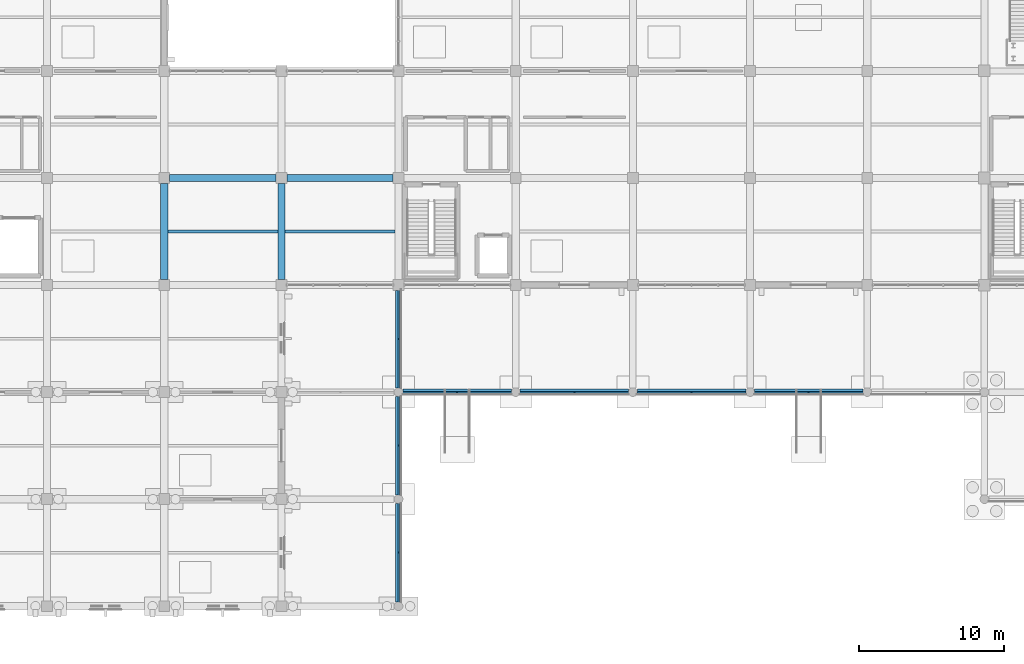
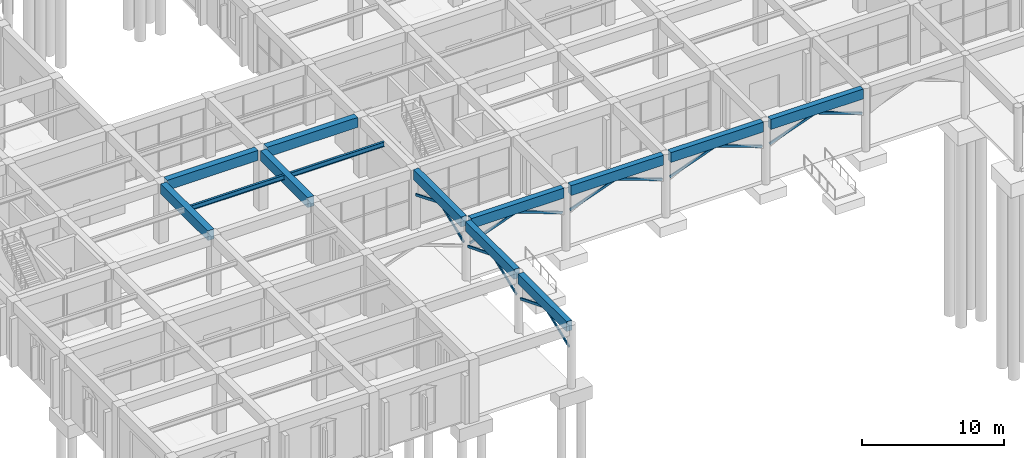
# One storey, part 7 of 140: 14 members, 13 beams.
"""IFC4 building model written with IfcOpenShell, lengths in metres."""

from ifc_helpers import new_model, si_unit, direction, frame, origin, origin_2d, place, context, subcontext, project, spatial, rectangle, hollow_rectangle, i_section, extrude, material, material_profile, profile_set, type_object, element, save


model = new_model("IFC4")

# Units and contexts
model_context = context("Model", 3, precision=1e-05, world=origin(), true_north=direction((0.0, 1.0)))
body_context = subcontext(model_context, "Body", "Model", "MODEL_VIEW")
ifc_project = project(units=[si_unit("LENGTHUNIT", "METRE"), si_unit("AREAUNIT", "SQUARE_METRE"), si_unit("VOLUMEUNIT", "CUBIC_METRE"), si_unit("PLANEANGLEUNIT", "RADIAN"), si_unit("MASSUNIT", "GRAM", prefix="KILO")], contexts=[model_context])

# Site, building, storey
site_placement = place(None, origin())
site = spatial("IfcSite", under=ifc_project, at=site_placement, CompositionType="ELEMENT")
building_placement = place(site_placement, origin())
building = spatial("IfcBuilding", under=site, at=building_placement, Name="Cimatlan Art Gallery", CompositionType="ELEMENT")
storey_placement = place(building_placement, origin())
storey = spatial("IfcBuildingStorey", under=building, at=storey_placement, Name="L00", CompositionType="ELEMENT", Elevation=0.0)

# Beams
ifc_material_1 = material(Name="Concrete C40/50", Category="concrete")
ifc_material_profile_1 = material_profile(ifc_material_1, rectangle(XDim=0.449951171875, YDim=0.85009765625, at=origin_2d()), Name="RC450X850")
ifc_profile_set_1 = profile_set([ifc_material_profile_1], Name="Concrete C40/50")
beam_type_1 = type_object("IfcBeamType", Name="BM-ARC-450X850", PredefinedType="SPANDREL", material=ifc_profile_set_1)
for number, where, z_axis, x_axis, name in (
    (1, (34.39990234375, 2.0, 4.735107421875), (0.0, 1.0, 0.0), (-1.0, 0.0, 0.0), "BM-ARC-Y-04-00"),
    (2, (34.39990234375, 9.39990234375, 4.735107421875), (0.0, 1.0, 0.0), (-1.0, 0.0, 0.0), "BM-ARC-Y-04-01"),
):
    element("IfcBeam", number, at=place(storey_placement, frame(where, z_axis=z_axis, x_axis=x_axis)), inside=storey, type_object=beam_type_1, Name=name, PredefinedType="SPANDREL", context=body_context, shape_type="SweptSolid", body=[
        extrude(rectangle(XDim=0.449951171875, YDim=0.85009765625, at=origin_2d()), origin(), (0.0, 0.0, 1.0), 6.800048828125),
    ])
beam_1_placement = place(storey_placement, frame((34.699951171875, 16.5, 4.735107421875), z_axis=(1.0, 0.0, 0.0), x_axis=(0.0, 1.0, 0.0)))
element("IfcBeam", 3, at=beam_1_placement, inside=storey, type_object=beam_type_1, Name="BM-ARC-X-04-02", PredefinedType="SPANDREL", context=body_context, shape_type="SweptSolid", body=[
    extrude(rectangle(XDim=0.449951171875, YDim=0.85009765625, at=origin_2d()), origin(), (0.0, 0.0, 1.0), 7.5),
])
beam_2_placement = place(storey_placement, frame((34.39990234375, 16.800048828125, 4.735107421875), z_axis=(0.0, 1.0, 0.0), x_axis=(-1.0, 0.0, 0.0)))
element("IfcBeam", 4, at=beam_2_placement, inside=storey, type_object=beam_type_1, Name="BM-ARC-Y-04-02", PredefinedType="SPANDREL", context=body_context, shape_type="SweptSolid", body=[
    extrude(rectangle(XDim=0.449951171875, YDim=0.85009765625, at=origin_2d()), origin(), (0.0, 0.0, 1.0), 6.724853515625),
])
for number, where, z_axis, x_axis, name in (
    (5, (42.800048828125, 16.5, 4.735107421875), (1.0, 0.0, 0.0), (0.0, 1.0, 0.0), "BM-ARC-X-05-02"),
    (6, (50.89990234375, 16.5, 4.735107421875), (1.0, 0.0, 0.0), (0.0, 1.0, 0.0), "BM-ARC-X-06-02"),
    (7, (59.0, 16.5, 4.735107421875), (1.0, 0.0, 0.0), (0.0, 1.0, 0.0), "BM-ARC-X-07-02"),
):
    element("IfcBeam", number, at=place(storey_placement, frame(where, z_axis=z_axis, x_axis=x_axis)), inside=storey, type_object=beam_type_1, Name=name, PredefinedType="SPANDREL", context=body_context, shape_type="SweptSolid", body=[
        extrude(rectangle(XDim=0.449951171875, YDim=0.85009765625, at=origin_2d()), origin(), (0.0, 0.0, 1.0), 7.5),
    ])
ifc_material_profile_2 = material_profile(ifc_material_1, rectangle(XDim=0.5, YDim=0.85009765625, at=origin_2d()), Name="RC500X850")
ifc_profile_set_2 = profile_set([ifc_material_profile_2], Name="Concrete C40/50")
beam_type_2 = type_object("IfcBeamType", Name="BM-RC-500X850", PredefinedType="BEAM", material=ifc_profile_set_2)
for number, where, z_axis, x_axis, name in (
    (8, (18.199951171875, 24.27490234375, 4.7099609375), (0.0, 1.0, 0.0), (-1.0, 0.0, 0.0), "BM-Y-L00-02-03"),
    (9, (26.300048828125, 24.27490234375, 4.7099609375), (0.0, 1.0, 0.0), (-1.0, 0.0, 0.0), "BM-Y-L00-03-03"),
):
    element("IfcBeam", number, at=place(storey_placement, frame(where, z_axis=z_axis, x_axis=x_axis)), inside=storey, type_object=beam_type_2, Name=name, PredefinedType="BEAM", context=body_context, shape_type="SweptSolid", body=[
        extrude(rectangle(XDim=0.5, YDim=0.85009765625, at=origin_2d()), origin(), (0.0, 0.0, 1.0), 6.650146484375),
    ])
beam_3_placement = place(storey_placement, frame((18.574951171875, 31.300048828125, 4.7099609375), z_axis=(1.0, 0.0, 0.0), x_axis=(0.0, 1.0, 0.0)))
element("IfcBeam", 10, at=beam_3_placement, inside=storey, type_object=beam_type_2, Name="BM-X-L00-02-04", PredefinedType="BEAM", context=body_context, shape_type="SweptSolid", body=[
    extrude(rectangle(XDim=0.5, YDim=0.85009765625, at=origin_2d()), origin(), (0.0, 0.0, 1.0), 7.35009765625),
])
beam_4_placement = place(storey_placement, frame((26.675048828125, 31.300048828125, 4.7099609375), z_axis=(1.0, 0.0, 0.0), x_axis=(0.0, 1.0, 0.0)))
element("IfcBeam", 11, at=beam_4_placement, inside=storey, type_object=beam_type_2, Name="BM-X-L00-03-04", PredefinedType="BEAM", context=body_context, shape_type="SweptSolid", body=[
    extrude(rectangle(XDim=0.5, YDim=0.85009765625, at=origin_2d()), origin(), (0.0, 0.0, 1.0), 7.349853515625),
])
ifc_material_2 = material(Name="Steel ASTM A992 Grade 50", Category="steel")
ifc_material_profile_3 = material_profile(ifc_material_2, i_section(OverallWidth=0.177978515625, OverallDepth=0.406982421875, WebThickness=0.0078125, FlangeThickness=0.0126953125, at=origin_2d()), Name="W16X40")
ifc_profile_set_3 = profile_set([ifc_material_profile_3], Name="Steel ASTM A992 Grade 50")
beam_type_3 = type_object("IfcBeamType", Name="BM-STL-W16X40", PredefinedType="JOIST", material=ifc_profile_set_3)
beam_5_placement = place(storey_placement, frame((18.449951171875, 27.60009765625, 4.931396484375), z_axis=(1.0, 0.0, 0.0), x_axis=(0.0, 1.0, 0.0)))
element("IfcBeam", 12, at=beam_5_placement, inside=storey, type_object=beam_type_3, Name="JST-L00-02-03", PredefinedType="JOIST", context=body_context, shape_type="SweptSolid", body=[
    extrude(i_section(OverallWidth=0.177978515625, OverallDepth=0.406982421875, WebThickness=0.0078125, FlangeThickness=0.0126953125, at=origin_2d()), origin(), (0.0, 0.0, 1.0), 7.60009765625),
])
beam_6_placement = place(storey_placement, frame((26.550048828125, 27.60009765625, 4.931396484375), z_axis=(1.0, 0.0, 0.0), x_axis=(0.0, 1.0, 0.0)))
element("IfcBeam", 13, at=beam_6_placement, inside=storey, type_object=beam_type_3, Name="JST-L00-03-03", PredefinedType="JOIST", context=body_context, shape_type="SweptSolid", body=[
    extrude(i_section(OverallWidth=0.177978515625, OverallDepth=0.406982421875, WebThickness=0.0078125, FlangeThickness=0.0126953125, at=origin_2d()), origin(), (0.0, 0.0, 1.0), 7.599853515625),
])

# Members
ifc_material_3 = material(Name="Steel ASTM A500 Grade C", Category="steel")
ifc_material_profile_4 = material_profile(ifc_material_3, hollow_rectangle(XDim=0.10009765625, YDim=0.199951171875, WallThickness=0.008056640625, at=origin_2d()), Name="HSS200X100X8")
ifc_profile_set_4 = profile_set([ifc_material_profile_4], Name="Steel ASTM A500 Grade C")
member_type = type_object("IfcMemberType", Name="MBR-GOTH-RIB", PredefinedType="RAFTER", material=ifc_profile_set_4)
member_1_placement = place(storey_placement, frame((34.39990234375, 2.0, 2.949951171875), z_axis=(0.0, 0.928462896207, 0.371425161193), x_axis=(-1.0, 0.0, 0.0)))
element("IfcMember", 14, at=member_1_placement, inside=storey, type_object=member_type, Name="RIB-ARC-Y-02S", PredefinedType="RAFTER", context=body_context, shape_type="SweptSolid", body=[
    extrude(hollow_rectangle(XDim=0.10009765625, YDim=0.199951171875, WallThickness=0.008056640625, at=origin_2d()), origin(), (0.0, 0.0, 1.0), 3.661865234375),
])
for number, where, z_axis, x_axis, name in (
    (15, (34.39990234375, 8.800048828125, 2.949951171875), (0.0, -0.928472093086, 0.371402170646), (1.0, 0.0, 0.0), "RIB-ARC-Y-02N"),
    (16, (34.39990234375, 9.39990234375, 2.949951171875), (0.0, 0.928472093086, 0.371402170646), (-1.0, 0.0, 0.0), "RIB-ARC-Y-03S"),
):
    element("IfcMember", number, at=place(storey_placement, frame(where, z_axis=z_axis, x_axis=x_axis)), inside=storey, type_object=member_type, Name=name, PredefinedType="RAFTER", context=body_context, shape_type="SweptSolid", body=[
        extrude(hollow_rectangle(XDim=0.10009765625, YDim=0.199951171875, WallThickness=0.008056640625, at=origin_2d()), origin(), (0.0, 0.0, 1.0), 3.662109375),
    ])
member_2_placement = place(storey_placement, frame((34.39990234375, 16.199951171875, 2.949951171875), z_axis=(0.0, -0.928462896207, 0.371425161193), x_axis=(1.0, 0.0, 0.0)))
element("IfcMember", 17, at=member_2_placement, inside=storey, type_object=member_type, Name="RIB-ARC-Y-03N", PredefinedType="RAFTER", context=body_context, shape_type="SweptSolid", body=[
    extrude(hollow_rectangle(XDim=0.10009765625, YDim=0.199951171875, WallThickness=0.008056640625, at=origin_2d()), origin(), (0.0, 0.0, 1.0), 3.661865234375),
])
for number, where, z_axis, x_axis, name in (
    (18, (34.699951171875, 16.5, 2.949951171875), (0.940077223302, 0.0, 0.34096160228), (0.0, 1.0, 0.0), "RIB-ARC-X-04L"),
    (19, (42.199951171875, 16.5, 2.949951171875), (-0.940077223302, 0.0, 0.34096160228), (0.0, -1.0, 0.0), "RIB-ARC-X-04R"),
):
    element("IfcMember", number, at=place(storey_placement, frame(where, z_axis=z_axis, x_axis=x_axis)), inside=storey, type_object=member_type, Name=name, PredefinedType="RAFTER", context=body_context, shape_type="SweptSolid", body=[
        extrude(hollow_rectangle(XDim=0.10009765625, YDim=0.199951171875, WallThickness=0.008056640625, at=origin_2d()), origin(), (0.0, 0.0, 1.0), 3.989013671875),
    ])
member_3_placement = place(storey_placement, frame((34.39990234375, 16.800048828125, 2.949951171875), z_axis=(0.0, 0.927035405964, 0.374973807204), x_axis=(-1.0, 0.0, 0.0)))
element("IfcMember", 20, at=member_3_placement, inside=storey, type_object=member_type, Name="RIB-ARC-Y-05S", PredefinedType="RAFTER", context=body_context, shape_type="SweptSolid", body=[
    extrude(hollow_rectangle(XDim=0.10009765625, YDim=0.199951171875, WallThickness=0.008056640625, at=origin_2d()), origin(), (0.0, 0.0, 1.0), 3.627197265625),
])
member_4_placement = place(storey_placement, frame((34.39990234375, 23.52490234375, 2.949951171875), z_axis=(0.0, -0.927025941189, 0.374997205806), x_axis=(1.0, 0.0, 0.0)))
element("IfcMember", 21, at=member_4_placement, inside=storey, type_object=member_type, Name="RIB-ARC-Y-05N", PredefinedType="RAFTER", context=body_context, shape_type="SweptSolid", body=[
    extrude(hollow_rectangle(XDim=0.10009765625, YDim=0.199951171875, WallThickness=0.008056640625, at=origin_2d()), origin(), (0.0, 0.0, 1.0), 3.626953125),
])
for number, where, z_axis, x_axis, name in (
    (22, (42.800048828125, 16.5, 2.949951171875), (0.940077223302, 0.0, 0.34096160228), (0.0, 1.0, 0.0), "RIB-ARC-X-06L"),
    (23, (50.300048828125, 16.5, 2.949951171875), (-0.940077223302, 0.0, 0.34096160228), (0.0, -1.0, 0.0), "RIB-ARC-X-06R"),
    (24, (50.89990234375, 16.5, 2.949951171875), (0.940077223302, 0.0, 0.34096160228), (0.0, 1.0, 0.0), "RIB-ARC-X-07L"),
    (25, (58.39990234375, 16.5, 2.949951171875), (-0.940077223302, 0.0, 0.34096160228), (0.0, -1.0, 0.0), "RIB-ARC-X-07R"),
    (26, (59.0, 16.5, 2.949951171875), (0.940077223302, 0.0, 0.34096160228), (0.0, 1.0, 0.0), "RIB-ARC-X-08L"),
    (27, (66.5, 16.5, 2.949951171875), (-0.940077223302, 0.0, 0.34096160228), (0.0, -1.0, 0.0), "RIB-ARC-X-08R"),
):
    element("IfcMember", number, at=place(storey_placement, frame(where, z_axis=z_axis, x_axis=x_axis)), inside=storey, type_object=member_type, Name=name, PredefinedType="RAFTER", context=body_context, shape_type="SweptSolid", body=[
        extrude(hollow_rectangle(XDim=0.10009765625, YDim=0.199951171875, WallThickness=0.008056640625, at=origin_2d()), origin(), (0.0, 0.0, 1.0), 3.989013671875),
    ])

save(model, "model.ifc")
